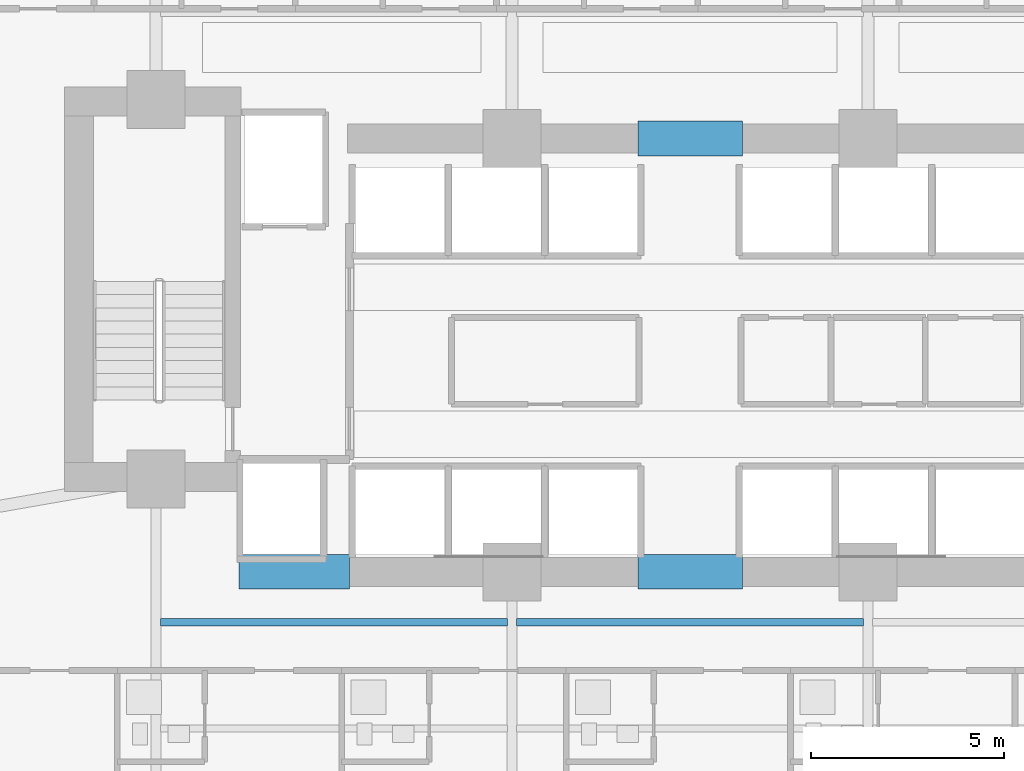
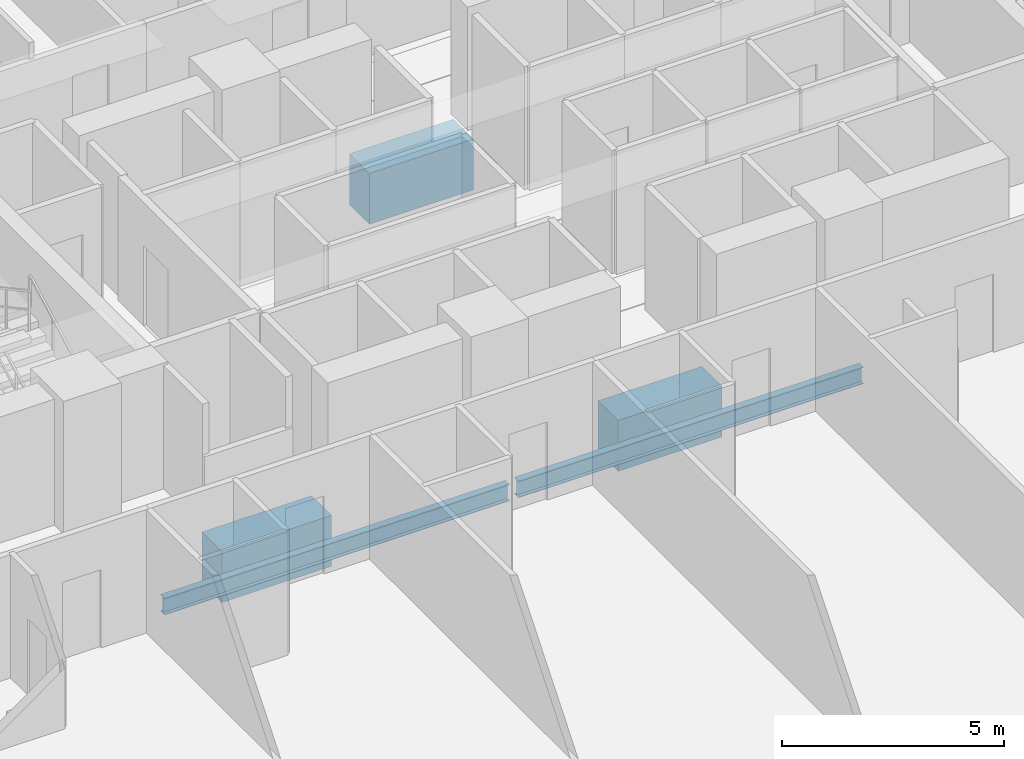
# One storey, part 8 of 29: 5 beams.
"""IFC4 building model written with IfcOpenShell, lengths in metres."""

from ifc_helpers import new_model, si_unit, direction, frame, origin, origin_2d, place, context, subcontext, project, spatial, rectangle, i_section, extrude, material, material_profile, profile_set, type_object, element, save


model = new_model("IFC4")

# Units and contexts
model_context = context("Model", 3, precision=1e-05, world=origin(), true_north=direction((0.0, 1.0)))
body_context = subcontext(model_context, "Body", "Model", "MODEL_VIEW")
ifc_project = project(units=[si_unit("LENGTHUNIT", "METRE"), si_unit("AREAUNIT", "SQUARE_METRE"), si_unit("VOLUMEUNIT", "CUBIC_METRE"), si_unit("PLANEANGLEUNIT", "RADIAN"), si_unit("MASSUNIT", "GRAM", prefix="KILO")], contexts=[model_context])

# Site, building, storey
site_placement = place(None, origin())
site = spatial("IfcSite", under=ifc_project, at=site_placement, CompositionType="ELEMENT")
building_placement = place(site_placement, origin())
building = spatial("IfcBuilding", under=site, at=building_placement, Name="Zuhayl Quay Hotel", CompositionType="ELEMENT")
storey_placement = place(building_placement, frame((0.0, 0.0, 158.550048828125)))
storey = spatial("IfcBuildingStorey", under=building, at=storey_placement, Name="L40", CompositionType="ELEMENT", Elevation=158.550048828125)

# Beams
ifc_material_1 = material(Name="Concrete C60/75", Category="concrete")
ifc_material_profile_1 = material_profile(ifc_material_1, rectangle(XDim=0.89990234375, YDim=1.39990234375, at=origin_2d()), Name="RC900X1400")
ifc_profile_set_1 = profile_set([ifc_material_profile_1], Name="Concrete C60/75")
beam_type_1 = type_object("IfcBeamType", Name="BM_CB1_RC900", PredefinedType="T_BEAM", material=ifc_profile_set_1)
beam_placement = place(storey_placement, frame((-11.64990234375, 2.14990234375, -0.920166015625), z_axis=(1.0, 0.0, 0.0), x_axis=(0.0, 1.0, 0.0)))
element("IfcBeam", 1, at=beam_placement, inside=storey, type_object=beam_type_1, Name="L40 Core Coupling Beam SW", PredefinedType="T_BEAM", context=body_context, shape_type="SweptSolid", body=[
    extrude(rectangle(XDim=0.89990234375, YDim=1.39990234375, at=origin_2d()), origin(), (0.0, 0.0, 1.0), 2.849853515625),
])
for number, where, z_axis, x_axis, name in (
    (2, (-1.35009765625, 13.35009765625, -0.920166015625), (1.0, 0.0, 0.0), (0.0, 1.0, 0.0), "L40 Core Coupling Beam North"),
    (3, (-1.35009765625, 2.14990234375, -0.920166015625), (1.0, 0.0, 0.0), (0.0, 1.0, 0.0), "L40 Core Coupling Beam South"),
):
    element("IfcBeam", number, at=place(storey_placement, frame(where, z_axis=z_axis, x_axis=x_axis)), inside=storey, type_object=beam_type_1, Name=name, PredefinedType="T_BEAM", context=body_context, shape_type="SweptSolid", body=[
        extrude(rectangle(XDim=0.89990234375, YDim=1.39990234375, at=origin_2d()), origin(), (0.0, 0.0, 1.0), 2.7001953125),
    ])
ifc_material_2 = material(Name="Steel ASTM A992 Grade 50", Category="steel")
ifc_material_profile_2 = material_profile(ifc_material_2, i_section(OverallWidth=0.18994140625, OverallDepth=0.45703125, WebThickness=0.009033203125, FlangeThickness=0.014404296875, at=origin_2d()), Name="W18X50")
ifc_profile_set_2 = profile_set([ifc_material_profile_2], Name="Steel ASTM A992 Grade 50")
beam_type_2 = type_object("IfcBeamType", Name="BM_J2_W18X50", PredefinedType="JOIST", material=ifc_profile_set_2)
for number, where, z_axis, x_axis, name in (
    (4, (-13.680908203125, 0.85009765625, -0.448486328125), (1.0, 0.0, 0.0), (0.0, 1.0, 0.0), "L40 Floor Beam FJ_L40_9_1"),
    (5, (-4.48095703125, 0.85009765625, -0.448486328125), (1.0, 0.0, 0.0), (0.0, 1.0, 0.0), "L40 Floor Beam FJ_L40_9_2"),
):
    element("IfcBeam", number, at=place(storey_placement, frame(where, z_axis=z_axis, x_axis=x_axis)), inside=storey, type_object=beam_type_2, Name=name, PredefinedType="JOIST", context=body_context, shape_type="SweptSolid", body=[
        extrude(i_section(OverallWidth=0.18994140625, OverallDepth=0.45703125, WebThickness=0.009033203125, FlangeThickness=0.014404296875, at=origin_2d()), origin(), (0.0, 0.0, 1.0), 8.9619140625),
    ])

save(model, "model.ifc")
